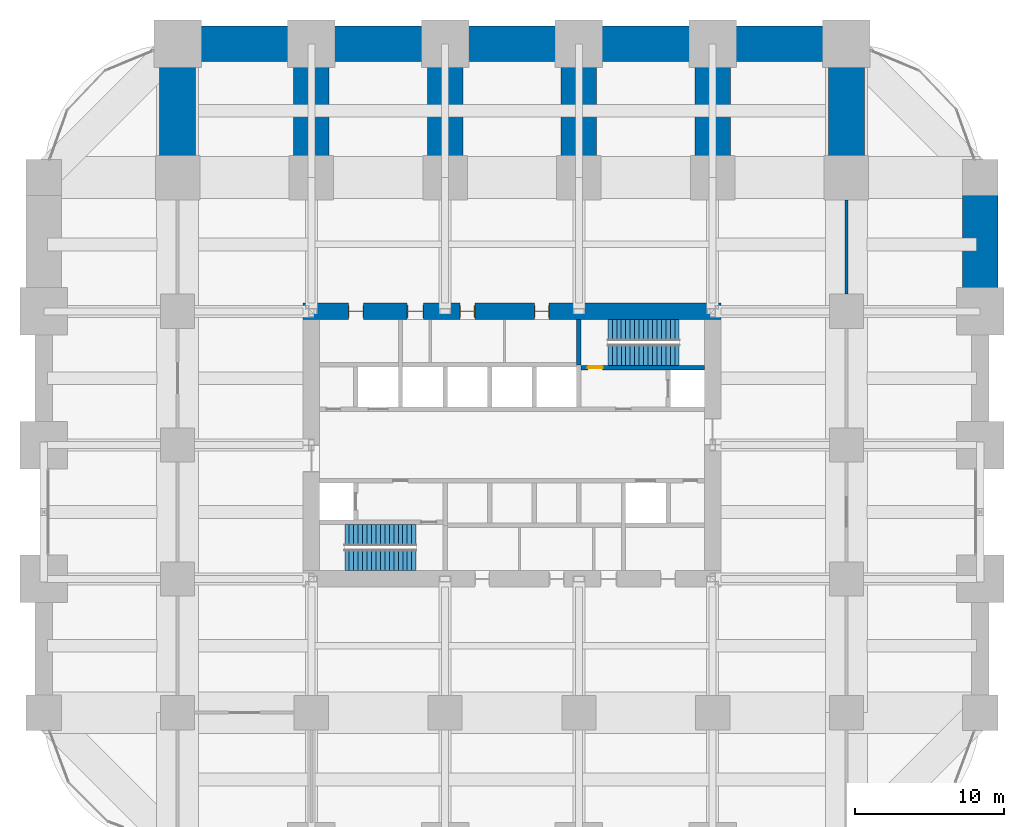
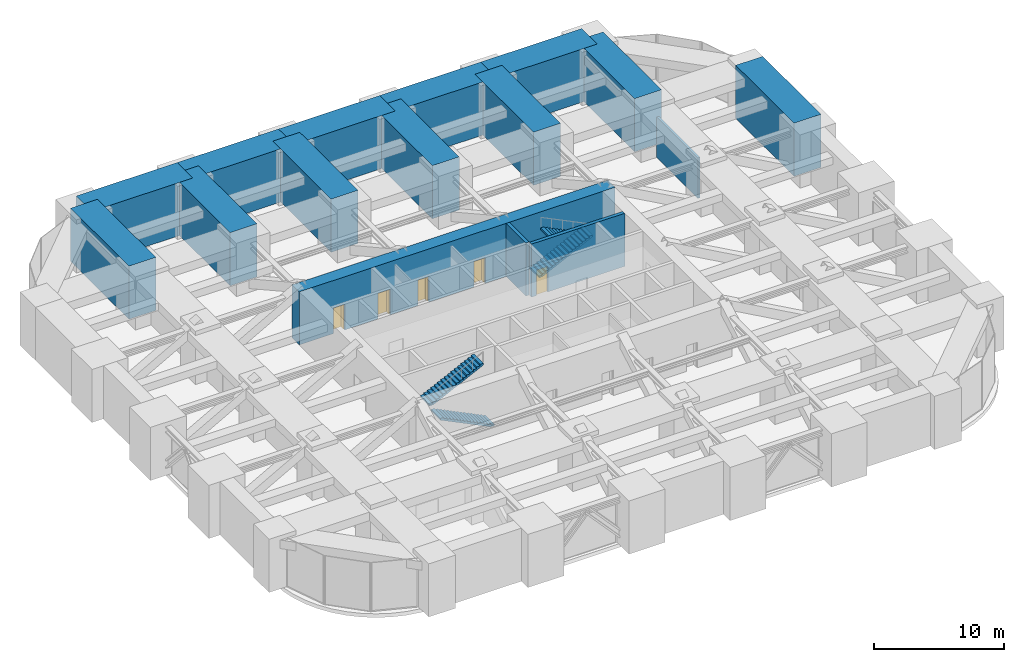
# One storey, part 34 of 35: 16 walls, 5 doors, 4 stair flights, 5 openings, 2 elements without a shape of their own.
"""IFC4 building model written with IfcOpenShell, lengths in metres."""

from ifc_helpers import new_model, si_unit, direction, frame, frame_2d, origin, place, context, subcontext, project, spatial, polyline, rectangle, outline, extrude, material, layer, layer_set, type_object, element, fill, aggregate, save


model = new_model("IFC4")

# Units and contexts
model_context = context("Model", 3, precision=1e-05, world=origin(), true_north=direction((0.0, 1.0)))
body_context = subcontext(model_context, "Body", "Model", "MODEL_VIEW")
ifc_project = project(units=[si_unit("LENGTHUNIT", "METRE"), si_unit("AREAUNIT", "SQUARE_METRE"), si_unit("VOLUMEUNIT", "CUBIC_METRE"), si_unit("PLANEANGLEUNIT", "RADIAN"), si_unit("MASSUNIT", "GRAM", prefix="KILO")], contexts=[model_context])

# Site, building, storey
site_placement = place(None, origin())
site = spatial("IfcSite", under=ifc_project, at=site_placement, CompositionType="ELEMENT")
building_placement = place(site_placement, origin())
building = spatial("IfcBuilding", under=site, at=building_placement, Name="Zorevar Civic Tower", CompositionType="ELEMENT")
storey_placement = place(building_placement, frame((0.0, 0.0, 80.0)))
storey = spatial("IfcBuildingStorey", under=building, at=storey_placement, Name="L19", CompositionType="ELEMENT", Elevation=80.0)

# Wall
ifc_material_1 = material(Name="Concrete blockwork", Category="masonry")
ifc_layer_1 = layer(ifc_material_1, 0.199951171875)
ifc_layer_set_1 = layer_set([ifc_layer_1], Name="Blockwork wall 200")
wall_type_1 = type_object("IfcWallType", Name="Blockwork wall 200", PredefinedType="SOLIDWALL", material=ifc_layer_set_1)
wall_1_placement = place(storey_placement, frame((54.0, 37.14990234375, 0.0), z_axis=(0.0, 0.0, 1.0), x_axis=(0.0, 1.0, 0.0)))
element("IfcWall", 1, at=wall_1_placement, inside=storey, type_object=wall_type_1, Name="Blockwork wall 200 L19", PredefinedType="SOLIDWALL", context=body_context, shape_type="SweptSolid", body=[
    extrude(rectangle(XDim=6.35009765625, YDim=0.199951171875, at=frame_2d((3.175048828125, 0.0))), origin(), (0.0, 0.0, 1.0), 3.800048828125),
])

# Wall, openings, doors
ifc_material_2 = material(Name="Concrete C50/60", Category="concrete")
ifc_layer_2 = layer(ifc_material_2, 1.10009765625)
ifc_layer_set_2 = layer_set([ifc_layer_2], Name="Core wall 1100")
wall_type_2 = type_object("IfcWallType", Name="Core wall 1100", PredefinedType="SHEAR", material=ifc_layer_set_2)
wall_2_placement = place(storey_placement, frame((45.550048828125, 36.0, 0.0), z_axis=(0.0, 0.0, 1.0), x_axis=(-1.0, 0.0, 0.0)))
wall_2 = element("IfcWall", 2, at=wall_2_placement, inside=storey, type_object=wall_type_2, Name="Core wall N L19", PredefinedType="SHEAR", context=body_context, shape_type="SweptSolid", body=[
    extrude(rectangle(XDim=28.10009765625, YDim=1.10009765625, at=frame_2d((14.050048828125, 0.0))), origin(), (0.0, 0.0, 1.0), 5.0),
])
opening_1_placement = place(wall_2_placement, frame((11.550048828125, 0.0, 0.0)))
opening_1 = element("IfcOpeningElement", 3, at=opening_1_placement, cuts=wall_2, Name="Opening L19.07", PredefinedType="OPENING", context=body_context, shape_type="SweptSolid", body=[
    extrude(rectangle(XDim=1.0, YDim=2.39990234375, at=frame_2d((0.5, 1.199951171875))), frame((0.0, 0.56005859375, 0.0), z_axis=(0.0, -1.0, 0.0), x_axis=(1.0, 0.0, 0.0)), (0.0, 0.0, 1.0), 1.1201171875),
])
opening_2_placement = place(wall_2_placement, frame((16.550048828125, 0.0, 0.0)))
opening_2 = element("IfcOpeningElement", 4, at=opening_2_placement, cuts=wall_2, Name="Opening L19.08", PredefinedType="OPENING", context=body_context, shape_type="SweptSolid", body=[
    extrude(rectangle(XDim=1.0, YDim=2.39990234375, at=frame_2d((0.5, 1.199951171875))), frame((0.0, 0.56005859375, 0.0), z_axis=(0.0, -1.0, 0.0), x_axis=(1.0, 0.0, 0.0)), (0.0, 0.0, 1.0), 1.1201171875),
])
opening_3_placement = place(wall_2_placement, frame((20.0, 0.0, 0.0)))
opening_3 = element("IfcOpeningElement", 5, at=opening_3_placement, cuts=wall_2, Name="Opening L19.09", PredefinedType="OPENING", context=body_context, shape_type="SweptSolid", body=[
    extrude(rectangle(XDim=1.10009765625, YDim=2.39990234375, at=frame_2d((0.550048828125, 1.199951171875))), frame((0.0, 0.56005859375, 0.0), z_axis=(0.0, -1.0, 0.0), x_axis=(1.0, 0.0, 0.0)), (0.0, 0.0, 1.0), 1.1201171875),
])
opening_4_placement = place(wall_2_placement, frame((24.050048828125, 0.0, 0.0)))
opening_4 = element("IfcOpeningElement", 6, at=opening_4_placement, cuts=wall_2, Name="Opening L19.10", PredefinedType="OPENING", context=body_context, shape_type="SweptSolid", body=[
    extrude(rectangle(XDim=1.0, YDim=2.39990234375, at=frame_2d((0.5, 1.199951171875))), frame((0.0, 0.56005859375, 0.0), z_axis=(0.0, -1.0, 0.0), x_axis=(1.0, 0.0, 0.0)), (0.0, 0.0, 1.0), 1.1201171875),
])
ifc_material_3 = material(Name="Timber door set", Category="wood")
door_type_1 = type_object("IfcDoorType", Name="Door D1 1000x2400", OperationType="SINGLE_SWING_LEFT", PredefinedType="DOOR", material=ifc_material_3)
door_1_placement = place(opening_1_placement, origin())
door_1 = element("IfcDoor", 7, at=door_1_placement, inside=storey, type_object=door_type_1, Name="Door L19 06", OperationType="SINGLE_SWING_LEFT", OverallHeight=2.39990234375, OverallWidth=1.0, PredefinedType="DOOR", context=body_context, shape_type="SweptSolid", body=[
    extrude(rectangle(XDim=1.0, YDim=2.39990234375, at=frame_2d((0.5, 1.199951171875))), frame((0.0, 0.02490234375, 0.0), z_axis=(0.0, -1.0, 0.0), x_axis=(1.0, 0.0, 0.0)), (0.0, 0.0, 1.0), 0.050048828125),
    extrude(rectangle(XDim=0.04, YDim=2.39990234375, at=frame_2d((0.02001953125, 1.199951171875))), frame((0.0, 0.39990234375, 0.0), z_axis=(0.0, -1.0, 0.0), x_axis=(1.0, 0.0, 0.0)), (0.0, 0.0, 1.0), 0.800048828125),
    extrude(rectangle(XDim=0.04, YDim=2.39990234375, at=frame_2d((0.97998046875, 1.199951171875))), frame((0.0, 0.39990234375, 0.0), z_axis=(0.0, -1.0, 0.0), x_axis=(1.0, 0.0, 0.0)), (0.0, 0.0, 1.0), 0.800048828125),
    extrude(rectangle(XDim=1.0, YDim=0.04, at=frame_2d((0.5, 2.3798828125))), frame((0.0, 0.39990234375, 0.0), z_axis=(0.0, -1.0, 0.0), x_axis=(1.0, 0.0, 0.0)), (0.0, 0.0, 1.0), 0.800048828125),
])
fill(opening_1, door_1)
door_2_placement = place(opening_2_placement, origin())
door_2 = element("IfcDoor", 8, at=door_2_placement, inside=storey, type_object=door_type_1, Name="Door L19 07", OperationType="SINGLE_SWING_RIGHT", OverallHeight=2.39990234375, OverallWidth=1.0, PredefinedType="DOOR", context=body_context, shape_type="SweptSolid", body=[
    extrude(rectangle(XDim=1.0, YDim=2.39990234375, at=frame_2d((0.5, 1.199951171875))), frame((0.0, 0.02490234375, 0.0), z_axis=(0.0, -1.0, 0.0), x_axis=(1.0, 0.0, 0.0)), (0.0, 0.0, 1.0), 0.050048828125),
    extrude(rectangle(XDim=0.04, YDim=2.39990234375, at=frame_2d((0.02001953125, 1.199951171875))), frame((0.0, 0.39990234375, 0.0), z_axis=(0.0, -1.0, 0.0), x_axis=(1.0, 0.0, 0.0)), (0.0, 0.0, 1.0), 0.800048828125),
    extrude(rectangle(XDim=0.04, YDim=2.39990234375, at=frame_2d((0.97998046875, 1.199951171875))), frame((0.0, 0.39990234375, 0.0), z_axis=(0.0, -1.0, 0.0), x_axis=(1.0, 0.0, 0.0)), (0.0, 0.0, 1.0), 0.800048828125),
    extrude(rectangle(XDim=1.0, YDim=0.04, at=frame_2d((0.5, 2.3798828125))), frame((0.0, 0.39990234375, 0.0), z_axis=(0.0, -1.0, 0.0), x_axis=(1.0, 0.0, 0.0)), (0.0, 0.0, 1.0), 0.800048828125),
])
fill(opening_2, door_2)
door_3_placement = place(opening_4_placement, origin())
door_3 = element("IfcDoor", 9, at=door_3_placement, inside=storey, type_object=door_type_1, Name="Door L19 09", OperationType="SINGLE_SWING_RIGHT", OverallHeight=2.39990234375, OverallWidth=1.0, PredefinedType="DOOR", context=body_context, shape_type="SweptSolid", body=[
    extrude(rectangle(XDim=1.0, YDim=2.39990234375, at=frame_2d((0.5, 1.199951171875))), frame((0.0, 0.02490234375, 0.0), z_axis=(0.0, -1.0, 0.0), x_axis=(1.0, 0.0, 0.0)), (0.0, 0.0, 1.0), 0.050048828125),
    extrude(rectangle(XDim=0.04, YDim=2.39990234375, at=frame_2d((0.02001953125, 1.199951171875))), frame((0.0, 0.39990234375, 0.0), z_axis=(0.0, -1.0, 0.0), x_axis=(1.0, 0.0, 0.0)), (0.0, 0.0, 1.0), 0.800048828125),
    extrude(rectangle(XDim=0.04, YDim=2.39990234375, at=frame_2d((0.97998046875, 1.199951171875))), frame((0.0, 0.39990234375, 0.0), z_axis=(0.0, -1.0, 0.0), x_axis=(1.0, 0.0, 0.0)), (0.0, 0.0, 1.0), 0.800048828125),
    extrude(rectangle(XDim=1.0, YDim=0.04, at=frame_2d((0.5, 2.3798828125))), frame((0.0, 0.39990234375, 0.0), z_axis=(0.0, -1.0, 0.0), x_axis=(1.0, 0.0, 0.0)), (0.0, 0.0, 1.0), 0.800048828125),
])
fill(opening_4, door_3)
ifc_material_4 = material(Name="Timber door set", Category="wood")
door_type_2 = type_object("IfcDoorType", Name="Door D5 1100x2400", OperationType="SINGLE_SWING_LEFT", PredefinedType="DOOR", material=ifc_material_4)
door_4_placement = place(opening_3_placement, origin())
door_4 = element("IfcDoor", 10, at=door_4_placement, inside=storey, type_object=door_type_2, Name="Door L19 08", OperationType="SINGLE_SWING_RIGHT", OverallHeight=2.39990234375, OverallWidth=1.10009765625, PredefinedType="DOOR", context=body_context, shape_type="SweptSolid", body=[
    extrude(rectangle(XDim=1.10009765625, YDim=2.39990234375, at=frame_2d((0.550048828125, 1.199951171875))), frame((0.0, 0.02490234375, 0.0), z_axis=(0.0, -1.0, 0.0), x_axis=(1.0, 0.0, 0.0)), (0.0, 0.0, 1.0), 0.050048828125),
    extrude(rectangle(XDim=0.04, YDim=2.39990234375, at=frame_2d((0.02001953125, 1.199951171875))), frame((0.0, 0.43994140625, 0.0), z_axis=(0.0, -1.0, 0.0), x_axis=(1.0, 0.0, 0.0)), (0.0, 0.0, 1.0), 0.880126953125),
    extrude(rectangle(XDim=0.04, YDim=2.39990234375, at=frame_2d((1.080078125, 1.199951171875))), frame((0.0, 0.43994140625, 0.0), z_axis=(0.0, -1.0, 0.0), x_axis=(1.0, 0.0, 0.0)), (0.0, 0.0, 1.0), 0.880126953125),
    extrude(rectangle(XDim=1.10009765625, YDim=0.04, at=frame_2d((0.550048828125, 2.3798828125))), frame((0.0, 0.43994140625, 0.0), z_axis=(0.0, -1.0, 0.0), x_axis=(1.0, 0.0, 0.0)), (0.0, 0.0, 1.0), 0.880126953125),
])
fill(opening_3, door_4)

# Wall, opening, door
ifc_material_5 = material(Name="Concrete C40/50", Category="concrete")
ifc_layer_3 = layer(ifc_material_5, 0.300048828125)
ifc_layer_set_3 = layer_set([ifc_layer_3], Name="Inner core wall 300")
wall_type_3 = type_object("IfcWallType", Name="Inner core wall 300", PredefinedType="SHEAR", material=ifc_layer_set_3)
wall_3_placement = place(storey_placement, frame((36.14990234375, 32.199951171875, 0.0), z_axis=(0.0, 0.0, 1.0), x_axis=(1.0, 0.0, 0.0)))
wall_3 = element("IfcWall", 11, at=wall_3_placement, inside=storey, type_object=wall_type_3, Name="Inner core wall N00 L19", PredefinedType="SHEAR", context=body_context, shape_type="SweptSolid", body=[
    extrude(rectangle(XDim=8.300048828125, YDim=0.300048828125, at=frame_2d((4.14990234375, 0.0))), origin(), (0.0, 0.0, 1.0), 5.0),
])
opening_5_placement = place(wall_3_placement, frame((0.449951171875, 0.0, 0.0)))
opening_5 = element("IfcOpeningElement", 12, at=opening_5_placement, cuts=wall_3, Name="Opening L19.12", PredefinedType="OPENING", context=body_context, shape_type="SweptSolid", body=[
    extrude(rectangle(XDim=1.0, YDim=2.39990234375, at=frame_2d((0.5, 1.199951171875))), frame((0.0, 0.159912109375, 0.0), z_axis=(0.0, -1.0, 0.0), x_axis=(1.0, 0.0, 0.0)), (0.0, 0.0, 1.0), 0.320068359375),
])
ifc_material_6 = material(Name="Steel door set", Category="steel")
door_type_3 = type_object("IfcDoorType", Name="Fire door FD1 1000x2400", OperationType="SINGLE_SWING_LEFT", PredefinedType="DOOR", material=ifc_material_6)
door_5_placement = place(opening_5_placement, origin())
door_5 = element("IfcDoor", 13, at=door_5_placement, inside=storey, type_object=door_type_3, Name="Door L19 11", OperationType="SINGLE_SWING_RIGHT", OverallHeight=2.39990234375, OverallWidth=1.0, PredefinedType="DOOR", context=body_context, shape_type="SweptSolid", body=[
    extrude(rectangle(XDim=1.0, YDim=2.39990234375, at=frame_2d((0.5, 1.199951171875))), frame((0.0, 0.030029296875, 0.0), z_axis=(0.0, -1.0, 0.0), x_axis=(1.0, 0.0, 0.0)), (0.0, 0.0, 1.0), 0.06005859375),
])
fill(opening_5, door_5)

# Walls
wall_4_placement = place(storey_placement, frame((36.0, 32.39990234375, 0.0), z_axis=(0.0, 0.0, 1.0), x_axis=(0.0, 1.0, 0.0)))
element("IfcWall", 14, at=wall_4_placement, inside=storey, type_object=wall_type_3, Name="Inner core wall N01 L19", PredefinedType="SHEAR", context=body_context, shape_type="SweptSolid", body=[
    extrude(rectangle(XDim=3.050048828125, YDim=0.300048828125, at=frame_2d((1.52490234375, 0.0))), origin(), (0.0, 0.0, 1.0), 5.0),
])
ifc_material_7 = material(Name="Concrete C50/60", Category="concrete")
ifc_layer_4 = layer(ifc_material_7, 2.39990234375)
ifc_layer_set_4 = layer_set([ifc_layer_4], Name="Setback tie wall 2400")
wall_type_4 = type_object("IfcWallType", Name="Setback tie wall 2400", PredefinedType="SHEAR", material=ifc_layer_set_4)
for number, where, z_axis, x_axis, name in (
    (15, (9.0, 54.0, 0.0), (0.0, 0.0, 1.0), (1.0, 0.0, 0.0), "Setback belt wall N L19"),
    (16, (18.0, 54.0, 0.0), (0.0, 0.0, 1.0), (1.0, 0.0, 0.0), "Setback belt wall N L19"),
    (17, (27.0, 54.0, 0.0), (0.0, 0.0, 1.0), (1.0, 0.0, 0.0), "Setback belt wall N L19"),
    (18, (36.0, 54.0, 0.0), (0.0, 0.0, 1.0), (1.0, 0.0, 0.0), "Setback belt wall N L19"),
    (19, (45.0, 54.0, 0.0), (0.0, 0.0, 1.0), (1.0, 0.0, 0.0), "Setback belt wall N L19"),
    (20, (63.0, 36.0, 0.0), (0.0, 0.0, 1.0), (0.0, 1.0, 0.0), "Setback belt wall E L19"),
    (21, (9.0, 45.0, 0.0), (0.0, 0.0, 1.0), (0.0, 1.0, 0.0), "Setback tie wall L19"),
    (22, (18.0, 45.0, 0.0), (0.0, 0.0, 1.0), (0.0, 1.0, 0.0), "Setback tie wall L19"),
    (23, (27.0, 45.0, 0.0), (0.0, 0.0, 1.0), (0.0, 1.0, 0.0), "Setback tie wall L19"),
    (24, (36.0, 45.0, 0.0), (0.0, 0.0, 1.0), (0.0, 1.0, 0.0), "Setback tie wall L19"),
    (25, (45.0, 45.0, 0.0), (0.0, 0.0, 1.0), (0.0, 1.0, 0.0), "Setback tie wall L19"),
    (26, (54.0, 45.0, 0.0), (0.0, 0.0, 1.0), (0.0, 1.0, 0.0), "Setback tie wall L19"),
):
    element("IfcWall", number, at=place(storey_placement, frame(where, z_axis=z_axis, x_axis=x_axis)), inside=storey, type_object=wall_type_4, Name=name, PredefinedType="SHEAR", context=body_context, shape_type="SweptSolid", body=[
        extrude(rectangle(XDim=9.0, YDim=2.39990234375, at=frame_2d((4.5, 0.0))), origin(), (0.0, 0.0, 1.0), 5.0),
    ])

# Stair, stair flights
ifc_material_8 = material(Name="Precast concrete C40/50", Category="concrete")
stair_type = type_object("IfcStairType", Name="Stair ST 34R", PredefinedType="HALF_TURN_STAIR", material=ifc_material_8)
stair_1_placement = place(storey_placement, origin())
stair_1 = element("IfcStair", 27, at=stair_1_placement, inside=storey, type_object=stair_type, Name="Stair ST1 L19", PredefinedType="HALF_TURN_STAIR")
ifc_material_9 = material(Name="Precast concrete C40/50", Category="concrete")
stair_flight_type = type_object("IfcStairFlightType", Name="Stair flight", PredefinedType="STRAIGHT", material=ifc_material_9)
stair_flight_1_placement = place(storey_placement, frame((25.050048828125, 19.262451171875, 0.0), z_axis=(0.0, 0.0, 1.0), x_axis=(-1.0, 0.0, 0.0)))
stair_flight_1 = element("IfcStairFlight", 28, at=stair_flight_1_placement, type_object=stair_flight_type, Name="ST1 flight 1", NumberOfRisers=17, NumberOfTreads=16, PredefinedType="STRAIGHT", RiserHeight=0.147058824, TreadLength=0.3, context=body_context, shape_type="SweptSolid", body=[
    extrude(outline(polyline([(0.0, 0.0), (0.0, 0.14697265625), (0.300048828125, 0.14697265625), (0.300048828125, 0.294189453125), (0.60009765625, 0.294189453125), (0.60009765625, 0.441162109375), (0.89990234375, 0.441162109375), (0.89990234375, 0.588134765625), (1.199951171875, 0.588134765625), (1.199951171875, 0.7353515625), (1.5, 0.7353515625), (1.5, 0.88232421875), (1.800048828125, 0.88232421875), (1.800048828125, 1.029296875), (2.10009765625, 1.029296875), (2.10009765625, 1.176513671875), (2.39990234375, 1.176513671875), (2.39990234375, 1.323486328125), (2.699951171875, 1.323486328125), (2.699951171875, 1.470703125), (3.0, 1.470703125), (3.0, 1.61767578125), (3.300048828125, 1.61767578125), (3.300048828125, 1.7646484375), (3.60009765625, 1.7646484375), (3.60009765625, 1.911865234375), (3.89990234375, 1.911865234375), (3.89990234375, 2.058837890625), (4.199951171875, 2.058837890625), (4.199951171875, 2.205810546875), (4.5, 2.205810546875), (4.5, 2.35302734375), (4.800048828125, 2.35302734375), (4.800048828125, 2.5), (4.800048828125, 2.18603515625), (0.340576171875, 0.0), (0.0, 0.0)])), frame((0.0, 0.71240234375, 0.0), z_axis=(0.0, -1.0, 0.0), x_axis=(1.0, 0.0, 0.0)), (0.0, 0.0, 1.0), 1.425048828125),
])
stair_flight_2_placement = place(storey_placement, frame((20.25, 20.9375, 2.5), z_axis=(0.0, 0.0, 1.0), x_axis=(1.0, 0.0, 0.0)))
stair_flight_2 = element("IfcStairFlight", 29, at=stair_flight_2_placement, type_object=stair_flight_type, Name="ST1 flight 2", NumberOfRisers=17, NumberOfTreads=16, PredefinedType="STRAIGHT", RiserHeight=0.147058824, TreadLength=0.3, context=body_context, shape_type="SweptSolid", body=[
    extrude(outline(polyline([(0.0, 0.0), (0.0, 0.14697265625), (0.300048828125, 0.14697265625), (0.300048828125, 0.294189453125), (0.60009765625, 0.294189453125), (0.60009765625, 0.441162109375), (0.89990234375, 0.441162109375), (0.89990234375, 0.588134765625), (1.199951171875, 0.588134765625), (1.199951171875, 0.7353515625), (1.5, 0.7353515625), (1.5, 0.88232421875), (1.800048828125, 0.88232421875), (1.800048828125, 1.029296875), (2.10009765625, 1.029296875), (2.10009765625, 1.176513671875), (2.39990234375, 1.176513671875), (2.39990234375, 1.323486328125), (2.699951171875, 1.323486328125), (2.699951171875, 1.470703125), (3.0, 1.470703125), (3.0, 1.61767578125), (3.300048828125, 1.61767578125), (3.300048828125, 1.7646484375), (3.60009765625, 1.7646484375), (3.60009765625, 1.911865234375), (3.89990234375, 1.911865234375), (3.89990234375, 2.058837890625), (4.199951171875, 2.058837890625), (4.199951171875, 2.205810546875), (4.5, 2.205810546875), (4.5, 2.35302734375), (4.800048828125, 2.35302734375), (4.800048828125, 2.5), (4.800048828125, 2.18603515625), (0.340576171875, 0.0), (0.0, 0.0)])), frame((0.0, 0.71240234375, 0.0), z_axis=(0.0, -1.0, 0.0), x_axis=(1.0, 0.0, 0.0)), (0.0, 0.0, 1.0), 1.425048828125),
])
aggregate(stair_1, [stair_flight_1, stair_flight_2])

stair_2_placement = place(storey_placement, origin())
stair_2 = element("IfcStair", 30, at=stair_2_placement, inside=storey, type_object=stair_type, Name="Stair ST2 L19", PredefinedType="HALF_TURN_STAIR")
stair_flight_3_placement = place(storey_placement, frame((37.949951171875, 34.737548828125, 0.0), z_axis=(0.0, 0.0, 1.0), x_axis=(1.0, 0.0, 0.0)))
stair_flight_3 = element("IfcStairFlight", 31, at=stair_flight_3_placement, type_object=stair_flight_type, Name="ST2 flight 1", NumberOfRisers=17, NumberOfTreads=16, PredefinedType="STRAIGHT", RiserHeight=0.147058824, TreadLength=0.3, context=body_context, shape_type="SweptSolid", body=[
    extrude(outline(polyline([(0.0, 0.0), (0.0, 0.14697265625), (0.300048828125, 0.14697265625), (0.300048828125, 0.294189453125), (0.60009765625, 0.294189453125), (0.60009765625, 0.441162109375), (0.89990234375, 0.441162109375), (0.89990234375, 0.588134765625), (1.199951171875, 0.588134765625), (1.199951171875, 0.7353515625), (1.5, 0.7353515625), (1.5, 0.88232421875), (1.800048828125, 0.88232421875), (1.800048828125, 1.029296875), (2.10009765625, 1.029296875), (2.10009765625, 1.176513671875), (2.39990234375, 1.176513671875), (2.39990234375, 1.323486328125), (2.699951171875, 1.323486328125), (2.699951171875, 1.470703125), (3.0, 1.470703125), (3.0, 1.61767578125), (3.300048828125, 1.61767578125), (3.300048828125, 1.7646484375), (3.60009765625, 1.7646484375), (3.60009765625, 1.911865234375), (3.89990234375, 1.911865234375), (3.89990234375, 2.058837890625), (4.199951171875, 2.058837890625), (4.199951171875, 2.205810546875), (4.5, 2.205810546875), (4.5, 2.35302734375), (4.800048828125, 2.35302734375), (4.800048828125, 2.5), (4.800048828125, 2.18603515625), (0.340576171875, 0.0), (0.0, 0.0)])), frame((0.0, 0.71240234375, 0.0), z_axis=(0.0, -1.0, 0.0), x_axis=(1.0, 0.0, 0.0)), (0.0, 0.0, 1.0), 1.425048828125),
])
stair_flight_4_placement = place(storey_placement, frame((42.75, 33.0625, 2.5), z_axis=(0.0, 0.0, 1.0), x_axis=(-1.0, 0.0, 0.0)))
stair_flight_4 = element("IfcStairFlight", 32, at=stair_flight_4_placement, type_object=stair_flight_type, Name="ST2 flight 2", NumberOfRisers=17, NumberOfTreads=16, PredefinedType="STRAIGHT", RiserHeight=0.147058824, TreadLength=0.3, context=body_context, shape_type="SweptSolid", body=[
    extrude(outline(polyline([(0.0, 0.0), (0.0, 0.14697265625), (0.300048828125, 0.14697265625), (0.300048828125, 0.294189453125), (0.60009765625, 0.294189453125), (0.60009765625, 0.441162109375), (0.89990234375, 0.441162109375), (0.89990234375, 0.588134765625), (1.199951171875, 0.588134765625), (1.199951171875, 0.7353515625), (1.5, 0.7353515625), (1.5, 0.88232421875), (1.800048828125, 0.88232421875), (1.800048828125, 1.029296875), (2.10009765625, 1.029296875), (2.10009765625, 1.176513671875), (2.39990234375, 1.176513671875), (2.39990234375, 1.323486328125), (2.699951171875, 1.323486328125), (2.699951171875, 1.470703125), (3.0, 1.470703125), (3.0, 1.61767578125), (3.300048828125, 1.61767578125), (3.300048828125, 1.7646484375), (3.60009765625, 1.7646484375), (3.60009765625, 1.911865234375), (3.89990234375, 1.911865234375), (3.89990234375, 2.058837890625), (4.199951171875, 2.058837890625), (4.199951171875, 2.205810546875), (4.5, 2.205810546875), (4.5, 2.35302734375), (4.800048828125, 2.35302734375), (4.800048828125, 2.5), (4.800048828125, 2.18603515625), (0.340576171875, 0.0), (0.0, 0.0)])), frame((0.0, 0.71240234375, 0.0), z_axis=(0.0, -1.0, 0.0), x_axis=(1.0, 0.0, 0.0)), (0.0, 0.0, 1.0), 1.425048828125),
])
aggregate(stair_2, [stair_flight_3, stair_flight_4])

save(model, "model.ifc")
